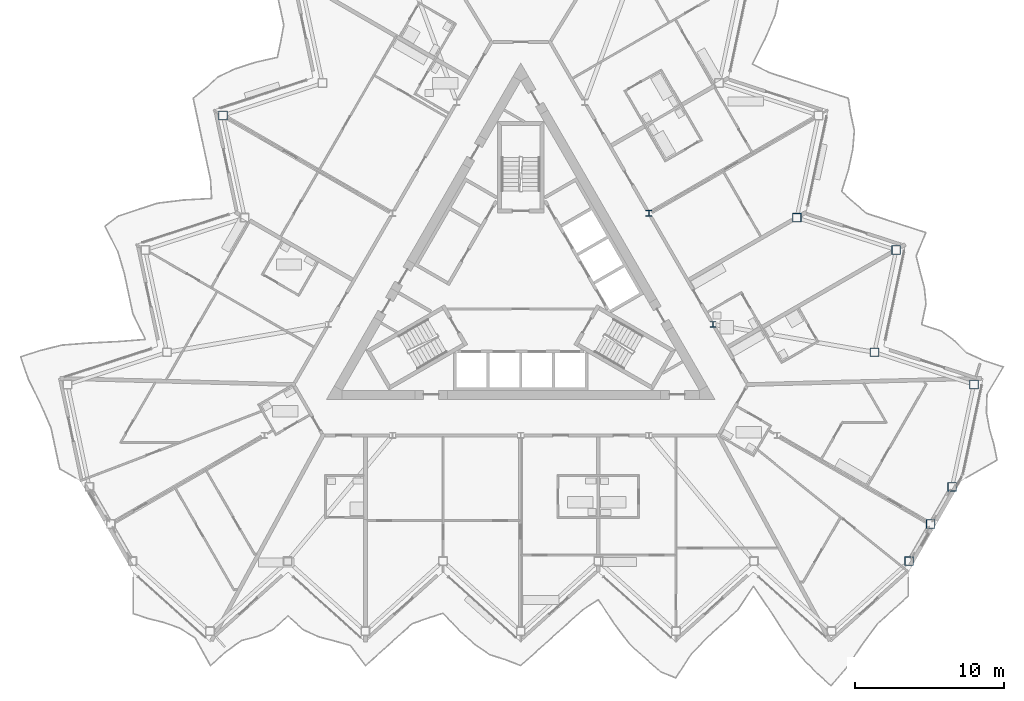
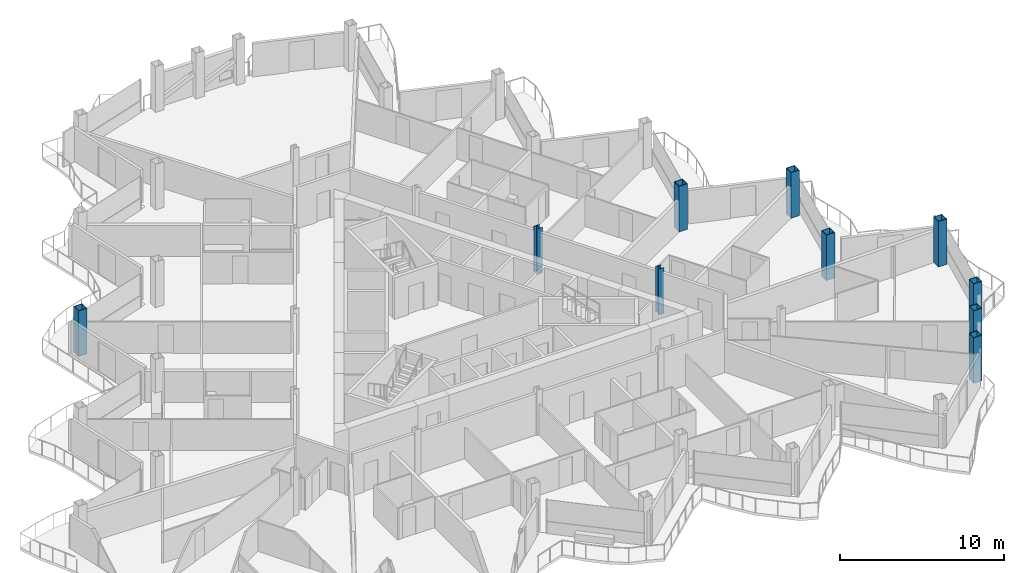
# One storey, part 2 of 28: 10 columns.
"""IFC4 building model written with IfcOpenShell, lengths in metres."""

from ifc_helpers import new_model, si_unit, direction, frame, origin, origin_2d, place, context, subcontext, project, spatial, hollow_rectangle, i_section, extrude, material, material_profile, profile_set, type_object, element, save


model = new_model("IFC4")

# Units and contexts
model_context = context("Model", 3, precision=1e-05, world=origin(), true_north=direction((0.0, 1.0)))
body_context = subcontext(model_context, "Body", "Model", "MODEL_VIEW")
ifc_project = project(units=[si_unit("LENGTHUNIT", "METRE"), si_unit("AREAUNIT", "SQUARE_METRE"), si_unit("VOLUMEUNIT", "CUBIC_METRE"), si_unit("PLANEANGLEUNIT", "RADIAN"), si_unit("MASSUNIT", "GRAM", prefix="KILO")], contexts=[model_context])

# Site, building, storey
site_placement = place(None, origin())
site = spatial("IfcSite", under=ifc_project, at=site_placement, CompositionType="ELEMENT")
building_placement = place(site_placement, origin())
building = spatial("IfcBuilding", under=site, at=building_placement, Name="Cormorant Prow Tower", CompositionType="ELEMENT")
storey_placement = place(building_placement, frame((0.0, 0.0, 308.60009765625)))
storey = spatial("IfcBuildingStorey", under=building, at=storey_placement, Name="L67", CompositionType="ELEMENT", Elevation=308.60009765625)

# Columns
ifc_material_1 = material(Name="Structural steel ASTM A572 Gr 50", Category="steel")
ifc_material_profile_1 = material_profile(ifc_material_1, hollow_rectangle(XDim=0.60009765625, YDim=0.60009765625, WallThickness=0.0400390625, at=origin_2d()), Name="Box 600x600x40")
ifc_profile_set_1 = profile_set([ifc_material_profile_1], Name="Structural steel ASTM A572 Gr 50")
column_type_1 = type_object("IfcColumnType", Name="Perimeter box column 600x600x40", PredefinedType="COLUMN", material=ifc_profile_set_1)
for number, where, z_axis, x_axis, name in (
    (1, (25.995361328125, -18.326904296875, 0.0), (0.0, 0.0, 1.0), (1.0, 0.0, 0.0), "Perimeter column C6 at ESE00 L67"),
    (2, (27.432373046875, -15.838134765625, 0.0), (0.0, 0.0, 1.0), (1.0, 0.0, 0.0), "Perimeter column C6 at ESE01 L67"),
    (3, (28.869140625, -13.349365234375, 0.0), (0.0, 0.0, 1.0), (1.0, 0.0, 0.0), "Perimeter column C6 at ENE00 L67"),
    (4, (30.32373046875, -6.506103515625, 0.0), (0.0, 0.0, 1.0), (1.0, 0.0, 0.0), "Perimeter column C6 at ENE01 L67"),
    (5, (23.670166015625, -4.34423828125, 0.0), (0.0, 0.0, 1.0), (1.0, 0.0, 0.0), "Perimeter column C6 at ENE02 L67"),
    (6, (25.124755859375, 2.4990234375, 0.0), (0.0, 0.0, 1.0), (1.0, 0.0, 0.0), "Perimeter column C6 at ENE03 L67"),
    (7, (18.470947265625, 4.660888671875, 0.0), (0.0, 0.0, 1.0), (1.0, 0.0, 0.0), "Perimeter column C6 at ENE04 L67"),
    (8, (-19.925537109375, 11.504150390625, 0.0), (0.0, 0.0, 1.0), (1.0, 0.0, 0.0), "Perimeter column C6 at WNW05 L67"),
):
    element("IfcColumn", number, at=place(storey_placement, frame(where, z_axis=z_axis, x_axis=x_axis)), inside=storey, type_object=column_type_1, Name=name, PredefinedType="COLUMN", context=body_context, shape_type="SweptSolid", body=[
        extrude(hollow_rectangle(XDim=0.60009765625, YDim=0.60009765625, WallThickness=0.0400390625, at=origin_2d()), origin(), (0.0, 0.0, 1.0), 3.39990234375),
    ])
ifc_material_2 = material(Name="Structural steel ASTM A992 Gr 50", Category="steel")
ifc_material_profile_2 = material_profile(ifc_material_2, i_section(OverallWidth=0.3955078125, OverallDepth=0.380615234375, WebThickness=0.018798828125, FlangeThickness=0.0302734375, at=origin_2d()), Name="W14x159")
ifc_profile_set_2 = profile_set([ifc_material_profile_2], Name="Structural steel ASTM A992 Gr 50")
column_type_2 = type_object("IfcColumnType", Name="Ring column W14x159", PredefinedType="COLUMN", material=ifc_profile_set_2)
for number, where, z_axis, x_axis, name in (
    (9, (12.86767578125, -2.476318359375, 0.0), (0.0, 0.0, 1.0), (1.0, 0.0, 0.0), "Ring column 10 L67"),
    (10, (8.578369140625, 4.952880859375, 0.0), (0.0, 0.0, 1.0), (1.0, 0.0, 0.0), "Ring column 11 L67"),
):
    element("IfcColumn", number, at=place(storey_placement, frame(where, z_axis=z_axis, x_axis=x_axis)), inside=storey, type_object=column_type_2, Name=name, PredefinedType="COLUMN", context=body_context, shape_type="SweptSolid", body=[
        extrude(i_section(OverallWidth=0.3955078125, OverallDepth=0.380615234375, WebThickness=0.018798828125, FlangeThickness=0.0302734375, at=origin_2d()), origin(), (0.0, 0.0, 1.0), 3.39990234375),
    ])

save(model, "model.ifc")
